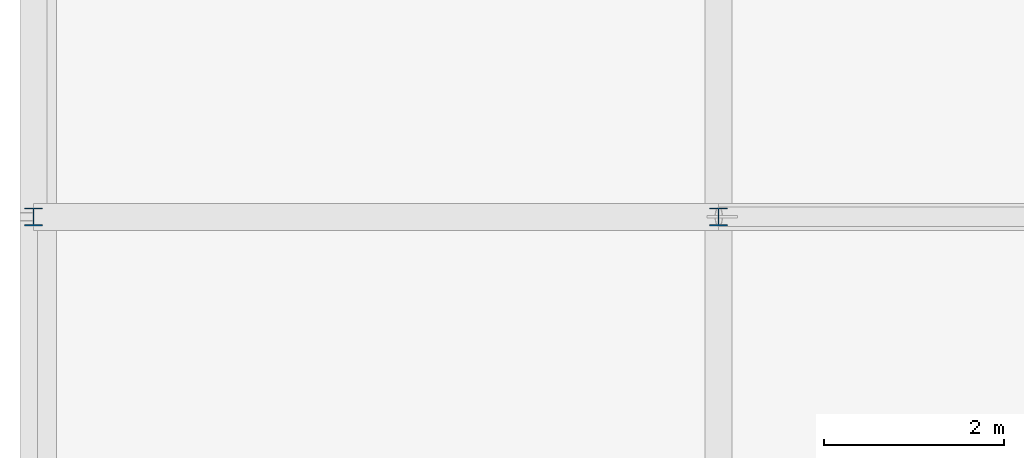
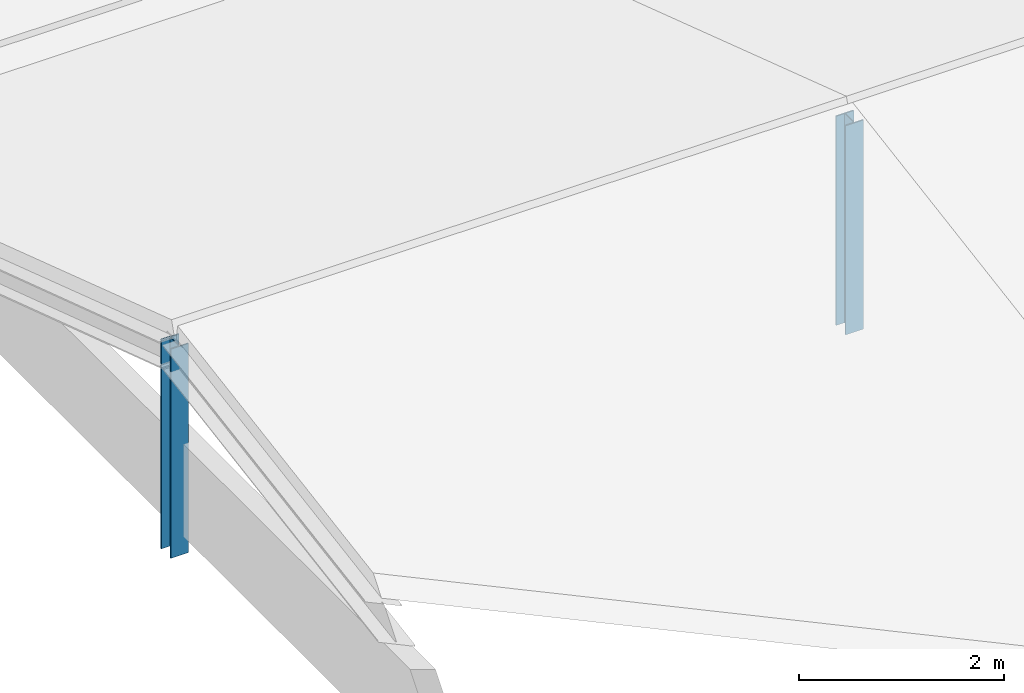
# One storey, part 1 of 65: 2 columns.
"""IFC4 building model written with IfcOpenShell, lengths in metres."""

from ifc_helpers import new_model, si_unit, direction, frame, origin, origin_2d, place, context, subcontext, project, spatial, i_section, extrude, material, material_profile, profile_set, type_object, element, save


model = new_model("IFC4")

# Units and contexts
model_context = context("Model", 3, precision=1e-05, world=origin(), true_north=direction((0.0, 1.0)))
body_context = subcontext(model_context, "Body", "Model", "MODEL_VIEW")
ifc_project = project(units=[si_unit("LENGTHUNIT", "METRE"), si_unit("AREAUNIT", "SQUARE_METRE"), si_unit("VOLUMEUNIT", "CUBIC_METRE"), si_unit("PLANEANGLEUNIT", "RADIAN"), si_unit("MASSUNIT", "GRAM", prefix="KILO")], contexts=[model_context])

# Site, building, storey
site_placement = place(None, origin())
site = spatial("IfcSite", under=ifc_project, at=site_placement, CompositionType="ELEMENT")
building_placement = place(site_placement, origin())
building = spatial("IfcBuilding", under=site, at=building_placement, Name="Montecoro Central Library", CompositionType="ELEMENT")
storey_placement = place(building_placement, frame((0.0, 0.0, 17.340087890625)))
storey = spatial("IfcBuildingStorey", under=building, at=storey_placement, Name="L04", CompositionType="ELEMENT", Elevation=17.340087890625)

# Columns
ifc_material = material(Name="Steel S355", Category="steel")
ifc_material_profile = material_profile(ifc_material, i_section(OverallWidth=0.199951171875, OverallDepth=0.199951171875, WebThickness=0.009033203125, FlangeThickness=0.014892578125, at=origin_2d()), Name="HEB 200")
ifc_profile_set = profile_set([ifc_material_profile], Name="Steel S355")
column_type = type_object("IfcColumnType", Name="COL-HEB200", PredefinedType="COLUMN", material=ifc_profile_set)
for number, where, z_axis, x_axis, name in (
    (1, (5.0, 96.199951171875, -0.210205078125), (0.0, 0.0, 1.0), (1.0, 0.0, 0.0), "V4-ROOF-POST-1-N"),
    (2, (12.60009765625, 96.199951171875, -0.210205078125), (0.0, 0.0, 1.0), (1.0, 0.0, 0.0), "V4-ROOF-POST-2-N"),
):
    element("IfcColumn", number, at=place(storey_placement, frame(where, z_axis=z_axis, x_axis=x_axis)), inside=storey, type_object=column_type, Name=name, PredefinedType="COLUMN", context=body_context, shape_type="SweptSolid", body=[
        extrude(i_section(OverallWidth=0.199951171875, OverallDepth=0.199951171875, WebThickness=0.009033203125, FlangeThickness=0.014892578125, at=origin_2d()), origin(), (0.0, 0.0, 1.0), 2.490234375),
    ])

save(model, "model.ifc")
